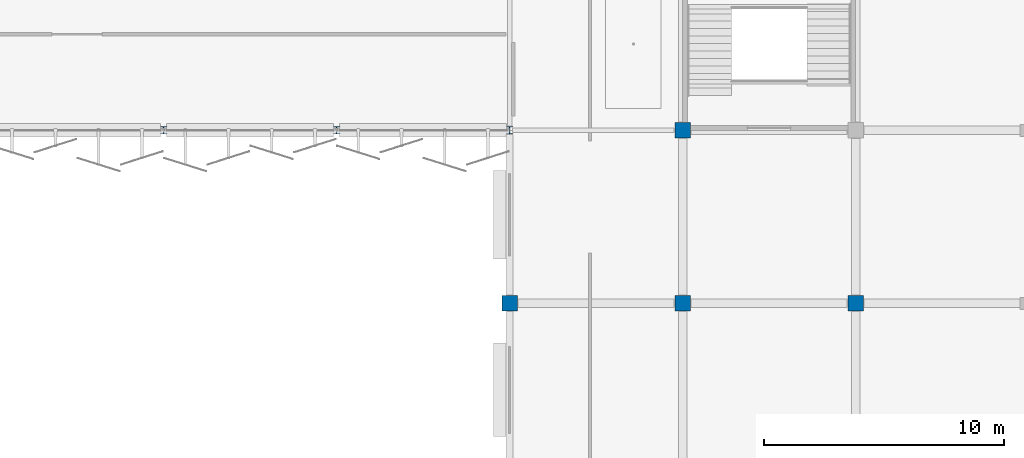
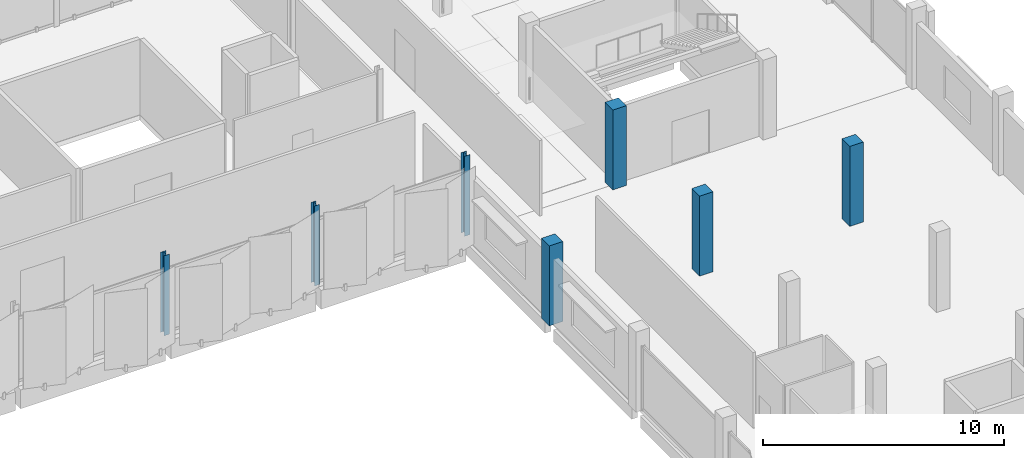
# One storey, part 5 of 77: 7 columns.
"""IFC4 building model written with IfcOpenShell, lengths in metres."""

from ifc_helpers import new_model, si_unit, direction, frame, origin, origin_2d, place, context, subcontext, project, spatial, rectangle, i_section, extrude, material, material_profile, profile_set, type_object, element, save


model = new_model("IFC4")

# Units and contexts
model_context = context("Model", 3, precision=1e-05, world=origin(), true_north=direction((0.0, 1.0)))
body_context = subcontext(model_context, "Body", "Model", "MODEL_VIEW")
ifc_project = project(units=[si_unit("LENGTHUNIT", "METRE"), si_unit("AREAUNIT", "SQUARE_METRE"), si_unit("VOLUMEUNIT", "CUBIC_METRE"), si_unit("PLANEANGLEUNIT", "RADIAN"), si_unit("MASSUNIT", "GRAM", prefix="KILO")], contexts=[model_context])

# Site, building, storey
site_placement = place(None, origin())
site = spatial("IfcSite", under=ifc_project, at=site_placement, CompositionType="ELEMENT")
building_placement = place(site_placement, origin())
building = spatial("IfcBuilding", under=site, at=building_placement, Name="Kangsadwip Square Police Headquarters", CompositionType="ELEMENT")
storey_placement = place(building_placement, frame((0.0, 0.0, 17.550048828125)))
storey = spatial("IfcBuildingStorey", under=building, at=storey_placement, Name="L04", CompositionType="ELEMENT", Elevation=17.550048828125)

# Columns
ifc_material_1 = material(Name="Concrete M40 (40 MPa)", Category="concrete")
ifc_material_profile_1 = material_profile(ifc_material_1, rectangle(XDim=0.64990234375, YDim=0.64990234375, at=origin_2d()), Name="RC COL 650X650")
ifc_profile_set_1 = profile_set([ifc_material_profile_1], Name="Concrete M40 (40 MPa)")
column_type_1 = type_object("IfcColumnType", Name="RcCol650x650", PredefinedType="COLUMN", material=ifc_profile_set_1)
for number, where, z_axis, x_axis, name in (
    (1, (144.0, 86.39990234375, 0.0), (0.0, 0.0, 1.0), (1.0, 0.0, 0.0), "Column COL-L04-20-12"),
    (2, (151.199951171875, 86.39990234375, 0.0), (0.0, 0.0, 1.0), (1.0, 0.0, 0.0), "Column COL-L04-21-12"),
    (3, (151.199951171875, 93.60009765625, 0.0), (0.0, 0.0, 1.0), (1.0, 0.0, 0.0), "Column COL-L04-21-13"),
    (4, (158.39990234375, 86.39990234375, 0.0), (0.0, 0.0, 1.0), (1.0, 0.0, 0.0), "Column COL-L04-22-12"),
):
    element("IfcColumn", number, at=place(storey_placement, frame(where, z_axis=z_axis, x_axis=x_axis)), inside=storey, type_object=column_type_1, Name=name, PredefinedType="COLUMN", context=body_context, shape_type="SweptSolid", body=[
        extrude(rectangle(XDim=0.64990234375, YDim=0.64990234375, at=origin_2d()), origin(), (0.0, 0.0, 1.0), 4.050048828125),
    ])
ifc_material_2 = material(Name="Structural steel IS 2062 E350 (Grade 350, 350 MPa)", Category="steel")
ifc_material_profile_2 = material_profile(ifc_material_2, i_section(OverallWidth=0.25, OverallDepth=0.300048828125, WebThickness=0.009521484375, FlangeThickness=0.010498046875, at=origin_2d()), Name="ISHB 300")
ifc_profile_set_2 = profile_set([ifc_material_profile_2], Name="Structural steel IS 2062 E350 (Grade 350, 350 MPa)")
column_type_2 = type_object("IfcColumnType", Name="SteelColIshb300", PredefinedType="COLUMN", material=ifc_profile_set_2)
for number, where, z_axis, x_axis, name in (
    (5, (129.60009765625, 93.60009765625, 0.0), (0.0, 0.0, 1.0), (1.0, 0.0, 0.0), "Column COL-L04-18-13"),
    (6, (136.800048828125, 93.60009765625, 0.0), (0.0, 0.0, 1.0), (1.0, 0.0, 0.0), "Column COL-L04-19-13"),
    (7, (144.0, 93.60009765625, 0.0), (0.0, 0.0, 1.0), (1.0, 0.0, 0.0), "Column COL-L04-20-13"),
):
    element("IfcColumn", number, at=place(storey_placement, frame(where, z_axis=z_axis, x_axis=x_axis)), inside=storey, type_object=column_type_2, Name=name, PredefinedType="COLUMN", context=body_context, shape_type="SweptSolid", body=[
        extrude(i_section(OverallWidth=0.25, OverallDepth=0.300048828125, WebThickness=0.009521484375, FlangeThickness=0.010498046875, at=origin_2d()), origin(), (0.0, 0.0, 1.0), 4.050048828125),
    ])

save(model, "model.ifc")
